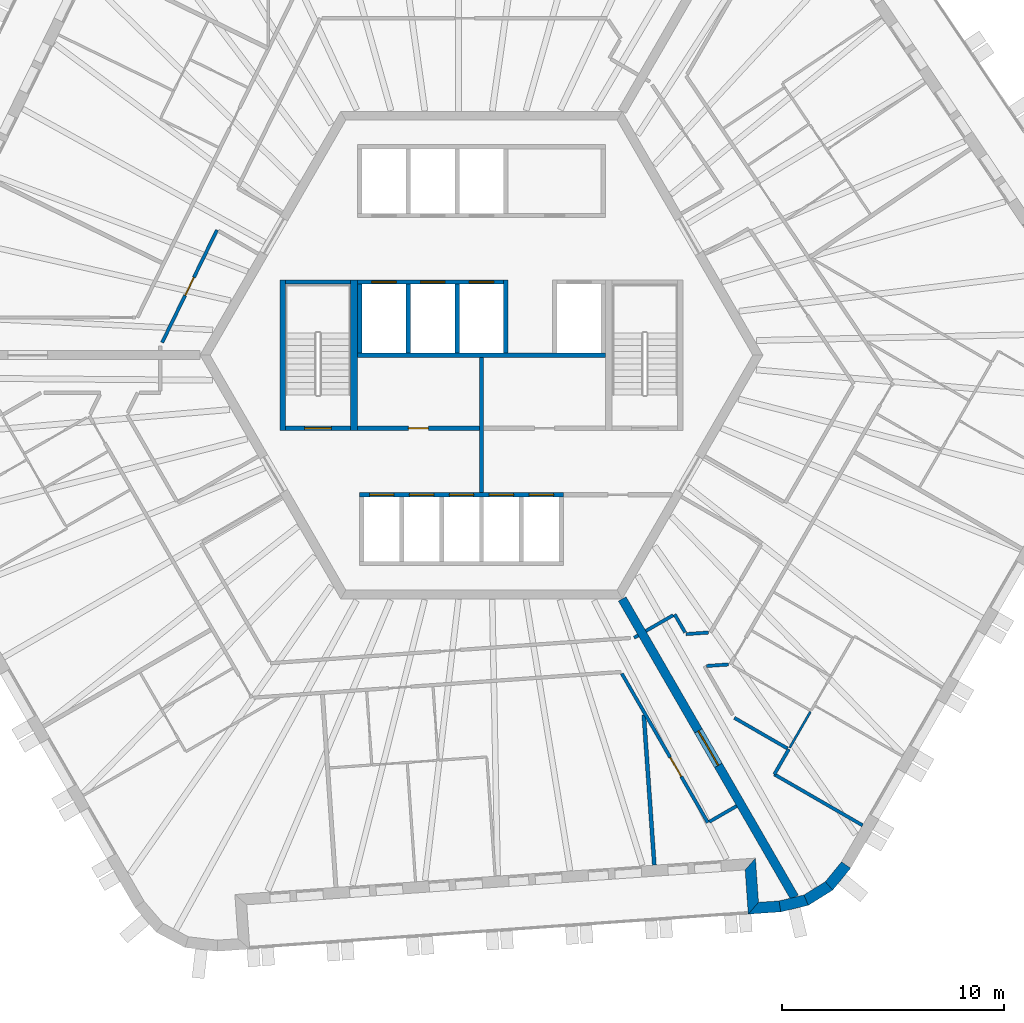
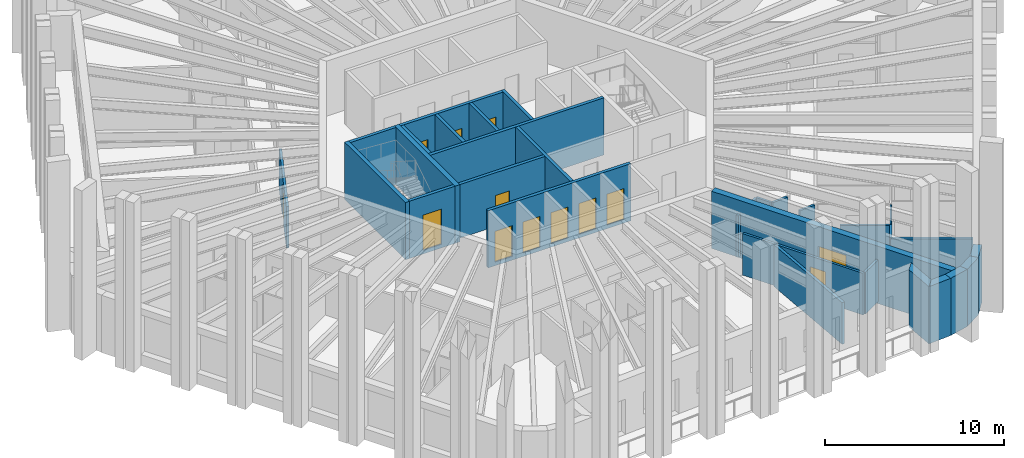
# One storey, part 5 of 13: 32 walls, 13 doors, 13 openings.
"""IFC4 building model written with IfcOpenShell, lengths in metres."""

from ifc_helpers import new_model, si_unit, direction, frame, frame_2d, origin, place, context, subcontext, project, spatial, polyline, rectangle, outline, extrude, material, layer, layer_set, type_object, element, fill, save


model = new_model("IFC4")

# Units and contexts
model_context = context("Model", 3, precision=1e-05, world=origin(), true_north=direction((0.0, 1.0)))
body_context = subcontext(model_context, "Body", "Model", "MODEL_VIEW")
ifc_project = project(units=[si_unit("LENGTHUNIT", "METRE"), si_unit("AREAUNIT", "SQUARE_METRE"), si_unit("VOLUMEUNIT", "CUBIC_METRE"), si_unit("PLANEANGLEUNIT", "RADIAN"), si_unit("MASSUNIT", "GRAM", prefix="KILO")], contexts=[model_context])

# Site, building, storey
site_placement = place(None, origin())
site = spatial("IfcSite", under=ifc_project, at=site_placement, CompositionType="ELEMENT")
building_placement = place(site_placement, origin())
building = spatial("IfcBuilding", under=site, at=building_placement, Name="Tarnside Tower", CompositionType="ELEMENT")
storey_placement = place(building_placement, frame((0.0, 0.0, 326.39990234375)))
storey = spatial("IfcBuildingStorey", under=building, at=storey_placement, Name="L79", CompositionType="ELEMENT", Elevation=326.39990234375)

# Wall
ifc_material_1 = material(Name="Gypsum board partition on steel studs", Category="steel")
ifc_layer_1 = layer(ifc_material_1, 0.10009765625)
ifc_layer_set_1 = layer_set([ifc_layer_1], Name="Bathroom wall 100")
wall_type_1 = type_object("IfcWallType", Name="Bathroom wall 100", PredefinedType="PARTITIONING", material=ifc_layer_set_1)
wall_1_placement = place(storey_placement, frame((14.84130859375, -16.093994140625, 0.0), z_axis=(0.0, 0.0, 1.0), x_axis=(-0.500004234368, -0.866022959057, 0.0)))
element("IfcWall", 1, at=wall_1_placement, inside=storey, type_object=wall_type_1, Name="Bathroom wall 26147", PredefinedType="PARTITIONING", context=body_context, shape_type="SweptSolid", body=[
    extrude(rectangle(XDim=1.875, YDim=0.10009765625, at=frame_2d((0.9375, 0.0))), origin(), (0.0, 0.0, 1.0), 2.837890625),
])

# Wall, opening, door
ifc_material_2 = material(Name="Concrete C40/50", Category="concrete")
ifc_layer_2 = layer(ifc_material_2, 0.199951171875)
ifc_layer_set_2 = layer_set([ifc_layer_2], Name="Core room partition 200 C40/50")
wall_type_2 = type_object("IfcWallType", Name="Core room partition 200 C40/50", PredefinedType="PARTITIONING", material=ifc_layer_set_2)
wall_2_placement = place(storey_placement, frame((-5.60009765625, -3.300048828125, 0.0), z_axis=(0.0, 0.0, 1.0), x_axis=(1.0, 0.0, 0.0)))
wall_2 = element("IfcWall", 2, at=wall_2_placement, inside=storey, type_object=wall_type_2, Name="L79 core partition W3", PredefinedType="PARTITIONING", context=body_context, shape_type="SweptSolid", body=[
    extrude(rectangle(XDim=5.5, YDim=0.199951171875, at=frame_2d((2.75, 0.0))), origin(), (0.0, 0.0, 1.0), 3.650146484375),
])
opening_1_placement = place(wall_2_placement, frame((2.300048828125, 0.0, 0.0)))
opening_1 = element("IfcOpeningElement", 3, at=opening_1_placement, cuts=wall_2, Name="Opening CD-room", PredefinedType="OPENING", context=body_context, shape_type="SweptSolid", body=[
    extrude(rectangle(XDim=0.89990234375, YDim=2.10009765625, at=frame_2d((0.449951171875, 1.050048828125))), frame((0.0, 0.10986328125, 0.0), z_axis=(0.0, -1.0, 0.0), x_axis=(1.0, 0.0, 0.0)), (0.0, 0.0, 1.0), 0.219970703125),
])
ifc_material_3 = material(Name="Steel fire door", Category="steel")
door_type_1 = type_object("IfcDoorType", Name="Room door FD60 900x2100", OperationType="NOTDEFINED", PredefinedType="DOOR", material=ifc_material_3)
door_1_placement = place(opening_1_placement, origin())
door_1 = element("IfcDoor", 4, at=door_1_placement, inside=storey, type_object=door_type_1, Name="L79 core room door W3D", OperationType="SINGLE_SWING_LEFT", OverallHeight=2.10009765625, OverallWidth=0.89990234375, PredefinedType="DOOR", context=body_context, shape_type="SweptSolid", body=[
    extrude(rectangle(XDim=0.89990234375, YDim=2.10009765625, at=frame_2d((0.449951171875, 1.050048828125))), frame((0.0, 0.02490234375, 0.0), z_axis=(0.0, -1.0, 0.0), x_axis=(1.0, 0.0, 0.0)), (0.0, 0.0, 1.0), 0.050048828125),
])
fill(opening_1, door_1)

# Wall
wall_3_placement = place(storey_placement, frame((0.0, -6.199951171875, 0.0), z_axis=(0.0, 0.0, 1.0), x_axis=(0.0, 1.0, 0.0)))
element("IfcWall", 5, at=wall_3_placement, inside=storey, type_object=wall_type_2, Name="L79 core partition X0", PredefinedType="PARTITIONING", context=body_context, shape_type="SweptSolid", body=[
    extrude(rectangle(XDim=6.099853515625, YDim=0.199951171875, at=frame_2d((3.0498046875, 0.0))), origin(), (0.0, 0.0, 1.0), 3.650146484375),
])

# Wall, opening, door
ifc_material_4 = material(Name="Concrete C60/75", Category="concrete")
ifc_layer_3 = layer(ifc_material_4, 0.39990234375)
ifc_layer_set_3 = layer_set([ifc_layer_3], Name="Core wall Z3 400 C60/75")
wall_type_3 = type_object("IfcWallType", Name="Core wall Z3 400 C60/75", PredefinedType="SHEAR", material=ifc_layer_set_3)
wall_4_placement = place(storey_placement, frame((6.350830078125, -11.0, -0.14990234375), z_axis=(0.0, 0.0, 1.0), x_axis=(0.499998894578, -0.866026041999, 0.0)))
wall_4 = element("IfcWall", 6, at=wall_4_placement, inside=storey, type_object=wall_type_3, Name="L79 spine wall 3", PredefinedType="SHEAR", context=body_context, shape_type="SweptSolid", body=[
    extrude(rectangle(XDim=15.54443359375, YDim=0.39990234375, at=frame_2d((7.772216796875, 0.0))), origin(), (0.0, 0.0, 1.0), 3.89990234375),
])
opening_2_placement = place(wall_4_placement, frame((6.872314453125, 0.0, 0.14990234375)))
opening_2 = element("IfcOpeningElement", 7, at=opening_2_placement, cuts=wall_4, Name="Opening CD-SPN", PredefinedType="OPENING", context=body_context, shape_type="SweptSolid", body=[
    extrude(rectangle(XDim=1.800048828125, YDim=2.39990234375, at=frame_2d((0.89990234375, 1.199951171875))), frame((0.0, 0.2099609375, 0.0), z_axis=(0.0, -1.0, 0.0), x_axis=(1.0, 0.0, 0.0)), (0.0, 0.0, 1.0), 0.419921875),
])
door_type_2 = type_object("IfcDoorType", Name="Spine passage double door FD60 1800x2400", OperationType="NOTDEFINED", PredefinedType="DOOR", material=ifc_material_3)
door_2_placement = place(opening_2_placement, origin())
door_2 = element("IfcDoor", 8, at=door_2_placement, inside=storey, type_object=door_type_2, Name="L79 spine passage door 3", OperationType="DOUBLE_DOOR_SINGLE_SWING", OverallHeight=2.39990234375, OverallWidth=1.800048828125, PredefinedType="DOOR", context=body_context, shape_type="SweptSolid", body=[
    extrude(rectangle(XDim=1.800048828125, YDim=2.39990234375, at=frame_2d((0.89990234375, 1.199951171875))), frame((0.0, 0.02490234375, 0.0), z_axis=(0.0, -1.0, 0.0), x_axis=(1.0, 0.0, 0.0)), (0.0, 0.0, 1.0), 0.050048828125),
])
fill(opening_2, door_2)

ifc_layer_4 = layer(ifc_material_1, 0.14990234375)
ifc_layer_set_4 = layer_set([ifc_layer_4], Name="Corridor wall 150 EI 60")
wall_type_4 = type_object("IfcWallType", Name="Corridor wall 150 EI 60", PredefinedType="PARTITIONING", material=ifc_layer_set_4)
wall_5_placement = place(storey_placement, frame((-14.411376953125, 0.563720703125, 0.0), z_axis=(0.0, 0.0, 1.0), x_axis=(0.438363210996, 0.898797916801, 0.0)))
wall_5 = element("IfcWall", 9, at=wall_5_placement, inside=storey, type_object=wall_type_4, Name="Corridor wall 26024", PredefinedType="PARTITIONING", context=body_context, shape_type="SweptSolid", body=[
    extrude(rectangle(XDim=5.65234375, YDim=0.14990234375, at=frame_2d((2.826171875, 0.0))), origin(), (0.0, 0.0, 1.0), 2.837890625),
])
opening_3_placement = place(wall_5_placement, frame((2.376220703125, 0.0, 0.0)))
opening_3 = element("IfcOpeningElement", 10, at=opening_3_placement, cuts=wall_5, Name="Opening D-S1", PredefinedType="OPENING", context=body_context, shape_type="SweptSolid", body=[
    extrude(rectangle(XDim=0.89990234375, YDim=2.10009765625, at=frame_2d((0.449951171875, 1.050048828125))), frame((0.0, 0.0849609375, 0.0), z_axis=(0.0, -1.0, 0.0), x_axis=(1.0, 0.0, 0.0)), (0.0, 0.0, 1.0), 0.169921875),
])
ifc_material_5 = material(Name="Timber door leaf", Category="wood")
door_type_3 = type_object("IfcDoorType", Name="Service room door 900 FD30S", OperationType="NOTDEFINED", PredefinedType="DOOR", material=ifc_material_5)
door_3_placement = place(opening_3_placement, origin())
door_3 = element("IfcDoor", 11, at=door_3_placement, inside=storey, type_object=door_type_3, Name="Service door 26073", OperationType="SINGLE_SWING_LEFT", OverallHeight=2.10009765625, OverallWidth=0.89990234375, PredefinedType="DOOR", context=body_context, shape_type="SweptSolid", body=[
    extrude(rectangle(XDim=0.89990234375, YDim=2.10009765625, at=frame_2d((0.449951171875, 1.050048828125))), frame((0.0, 0.02490234375, 0.0), z_axis=(0.0, -1.0, 0.0), x_axis=(1.0, 0.0, 0.0)), (0.0, 0.0, 1.0), 0.050048828125),
])
fill(opening_3, door_3)

wall_6_placement = place(storey_placement, frame((6.33251953125, -14.3681640625, 0.0), z_axis=(0.0, 0.0, 1.0), x_axis=(0.499977396983, -0.866038453249, 0.0)))
wall_6 = element("IfcWall", 12, at=wall_6_placement, inside=storey, type_object=wall_type_4, Name="Corridor wall 26040", PredefinedType="PARTITIONING", context=body_context, shape_type="SweptSolid", body=[
    extrude(rectangle(XDim=7.764404296875, YDim=0.14990234375, at=frame_2d((3.88232421875, 0.0))), origin(), (0.0, 0.0, 1.0), 2.837890625),
])
opening_4_placement = place(wall_6_placement, frame((4.363525390625, 0.0, 0.0)))
opening_4 = element("IfcOpeningElement", 13, at=opening_4_placement, cuts=wall_6, Name="Opening D-E1", PredefinedType="OPENING", context=body_context, shape_type="SweptSolid", body=[
    extrude(rectangle(XDim=1.0, YDim=2.10009765625, at=frame_2d((0.5, 1.050048828125))), frame((0.0, 0.0849609375, 0.0), z_axis=(0.0, -1.0, 0.0), x_axis=(1.0, 0.0, 0.0)), (0.0, 0.0, 1.0), 0.169921875),
])
door_type_4 = type_object("IfcDoorType", Name="Unit entrance door 1000 FD30S", OperationType="NOTDEFINED", PredefinedType="DOOR", material=ifc_material_5)
door_4_placement = place(opening_4_placement, origin())
door_4 = element("IfcDoor", 14, at=door_4_placement, inside=storey, type_object=door_type_4, Name="Unit door 26039", OperationType="SINGLE_SWING_RIGHT", OverallHeight=2.10009765625, OverallWidth=1.0, PredefinedType="DOOR", context=body_context, shape_type="SweptSolid", body=[
    extrude(rectangle(XDim=1.0, YDim=2.10009765625, at=frame_2d((0.5, 1.050048828125))), frame((0.0, 0.02490234375, 0.0), z_axis=(0.0, -1.0, 0.0), x_axis=(1.0, 0.0, 0.0)), (0.0, 0.0, 1.0), 0.050048828125),
])
fill(opening_4, door_4)

# Walls
wall_7_placement = place(storey_placement, frame((10.27978515625, -21.054931640625, 0.0), z_axis=(0.0, 0.0, 1.0), x_axis=(0.866020080793, 0.500009219579, 0.0)))
element("IfcWall", 15, at=wall_7_placement, inside=storey, type_object=wall_type_4, Name="Corridor wall 26044", PredefinedType="PARTITIONING", context=body_context, shape_type="SweptSolid", body=[
    extrude(rectangle(XDim=1.4248046875, YDim=0.14990234375, at=frame_2d((0.71240234375, 0.0))), origin(), (0.0, 0.0, 1.0), 2.837890625),
])
wall_8_placement = place(storey_placement, frame((7.070068359375, -12.6455078125, 0.0), z_axis=(0.0, 0.0, 1.0), x_axis=(-0.866378867349, -0.499387282788, 0.0)))
element("IfcWall", 16, at=wall_8_placement, inside=storey, type_object=wall_type_4, Name="Corridor wall 26050", PredefinedType="PARTITIONING", context=body_context, shape_type="SweptSolid", body=[
    extrude(rectangle(XDim=0.210205078125, YDim=0.14990234375, at=frame_2d((0.10498046875, 0.0))), origin(), (0.0, 0.0, 1.0), 2.837890625),
])
wall_9_placement = place(storey_placement, frame((13.212890625, -18.91455078125, 0.0), z_axis=(0.0, 0.0, 1.0), x_axis=(0.499985832843, 0.866033583042, 0.0)))
element("IfcWall", 17, at=wall_9_placement, inside=storey, type_object=wall_type_4, Name="Corridor wall 26057", PredefinedType="PARTITIONING", context=body_context, shape_type="SweptSolid", body=[
    extrude(rectangle(XDim=1.310546875, YDim=0.14990234375, at=frame_2d((0.6552734375, 0.0))), origin(), (0.0, 0.0, 1.0), 2.837890625),
])
wall_10_placement = place(storey_placement, frame((17.196044921875, -21.215576171875, 0.0), z_axis=(0.0, 0.0, 1.0), x_axis=(-0.866032643562, 0.499987460128, 0.0)))
element("IfcWall", 18, at=wall_10_placement, inside=storey, type_object=wall_type_4, Name="Corridor wall 26058", PredefinedType="PARTITIONING", context=body_context, shape_type="SweptSolid", body=[
    extrude(rectangle(XDim=4.5986328125, YDim=0.14990234375, at=frame_2d((2.29931640625, 0.0))), origin(), (0.0, 0.0, 1.0), 2.837890625),
])
wall_11_placement = place(storey_placement, frame((13.801513671875, -17.7451171875, 0.0), z_axis=(0.0, 0.0, 1.0), x_axis=(-0.866051521422, 0.499954760196, 0.0)))
element("IfcWall", 19, at=wall_11_placement, inside=storey, type_object=wall_type_4, Name="Corridor wall 26059", PredefinedType="PARTITIONING", context=body_context, shape_type="SweptSolid", body=[
    extrude(rectangle(XDim=2.759521484375, YDim=0.14990234375, at=frame_2d((1.3798828125, 0.0))), origin(), (0.0, 0.0, 1.0), 2.837890625),
])
wall_12_placement = place(storey_placement, frame((10.147705078125, -14.0263671875, 0.0), z_axis=(0.0, 0.0, 1.0), x_axis=(0.99756238904, 0.069780226228, 0.0)))
element("IfcWall", 20, at=wall_12_placement, inside=storey, type_object=wall_type_4, Name="Corridor wall 26061", PredefinedType="PARTITIONING", context=body_context, shape_type="SweptSolid", body=[
    extrude(rectangle(XDim=0.99365234375, YDim=0.14990234375, at=frame_2d((0.496826171875, 0.0))), origin(), (0.0, 0.0, 1.0), 2.837890625),
])
wall_13_placement = place(storey_placement, frame((10.238525390625, -12.516357421875, 0.0), z_axis=(0.0, 0.0, 1.0), x_axis=(-0.997561825928, -0.069788275888, 0.0)))
element("IfcWall", 21, at=wall_13_placement, inside=storey, type_object=wall_type_4, Name="Corridor wall 26074", PredefinedType="PARTITIONING", context=body_context, shape_type="SweptSolid", body=[
    extrude(rectangle(XDim=1.010986328125, YDim=0.14990234375, at=frame_2d((0.50537109375, 0.0))), origin(), (0.0, 0.0, 1.0), 2.837890625),
])
wall_14_placement = place(storey_placement, frame((9.188232421875, -12.5146484375, 0.0), z_axis=(0.0, 0.0, 1.0), x_axis=(-0.499998034377, 0.866026538634, 0.0)))
element("IfcWall", 22, at=wall_14_placement, inside=storey, type_object=wall_type_4, Name="Corridor wall 26075", PredefinedType="PARTITIONING", context=body_context, shape_type="SweptSolid", body=[
    extrude(rectangle(XDim=0.94580078125, YDim=0.14990234375, at=frame_2d((0.472900390625, 0.0))), origin(), (0.0, 0.0, 1.0), 2.837890625),
])
wall_15_placement = place(storey_placement, frame((8.650390625, -11.733154296875, 0.0), z_axis=(0.0, 0.0, 1.0), x_axis=(-0.866062911188, -0.499935029643, 0.0)))
element("IfcWall", 23, at=wall_15_placement, inside=storey, type_object=wall_type_4, Name="Corridor wall 26076", PredefinedType="PARTITIONING", context=body_context, shape_type="SweptSolid", body=[
    extrude(rectangle(XDim=1.425048828125, YDim=0.14990234375, at=frame_2d((0.71240234375, 0.0))), origin(), (0.0, 0.0, 1.0), 2.837890625),
])
ifc_layer_5 = layer(ifc_material_1, 0.179931640625)
ifc_layer_set_5 = layer_set([ifc_layer_5], Name="Demising wall 180 EI 60")
wall_type_5 = type_object("IfcWallType", Name="Demising wall 180 EI 60", PredefinedType="PARTITIONING", material=ifc_layer_set_5)
wall_16_placement = place(storey_placement, frame((7.799560546875, -23.011962890625, 0.0), z_axis=(0.0, 0.0, 1.0), x_axis=(-0.069757205717, 0.997563999075, 0.0)))
element("IfcWall", 24, at=wall_16_placement, inside=storey, type_object=wall_type_5, Name="Demising wall 26131", PredefinedType="PARTITIONING", context=body_context, shape_type="SweptSolid", body=[
    extrude(rectangle(XDim=6.789794921875, YDim=0.179931640625, at=frame_2d((3.39501953125, 0.0))), origin(), (0.0, 0.0, 1.0), 2.837890625),
])

# Wall, openings, doors
ifc_layer_6 = layer(ifc_material_2, 0.199951171875)
ifc_layer_set_6 = layer_set([ifc_layer_6], Name="Lift shaft wall 200 C40/50")
wall_type_6 = type_object("IfcWallType", Name="Lift shaft wall 200 C40/50", PredefinedType="SHEAR", material=ifc_layer_set_6)
wall_17_placement = place(storey_placement, frame((-5.60009765625, 3.300048828125, -0.25), z_axis=(0.0, 0.0, 1.0), x_axis=(1.0, 0.0, 0.0)))
wall_17 = element("IfcWall", 25, at=wall_17_placement, inside=storey, type_object=wall_type_6, Name="L79 lift shaft front wall R2", PredefinedType="SHEAR", context=body_context, shape_type="SweptSolid", body=[
    extrude(rectangle(XDim=6.60009765625, YDim=0.199951171875, at=frame_2d((3.300048828125, 0.0))), origin(), (0.0, 0.0, 1.0), 3.900146484375),
])
opening_5_placement = place(wall_17_placement, frame((0.64990234375, 0.0, 0.25)))
opening_5 = element("IfcOpeningElement", 26, at=opening_5_placement, cuts=wall_17, Name="Opening LD", PredefinedType="OPENING", context=body_context, shape_type="SweptSolid", body=[
    extrude(rectangle(XDim=1.10009765625, YDim=2.10009765625, at=frame_2d((0.550048828125, 1.050048828125))), frame((0.0, 0.10986328125, 0.0), z_axis=(0.0, -1.0, 0.0), x_axis=(1.0, 0.0, 0.0)), (0.0, 0.0, 1.0), 0.219970703125),
])
opening_6_placement = place(wall_17_placement, frame((2.85009765625, 0.0, 0.25)))
opening_6 = element("IfcOpeningElement", 27, at=opening_6_placement, cuts=wall_17, Name="Opening LD", PredefinedType="OPENING", context=body_context, shape_type="SweptSolid", body=[
    extrude(rectangle(XDim=1.10009765625, YDim=2.10009765625, at=frame_2d((0.550048828125, 1.050048828125))), frame((0.0, 0.10986328125, 0.0), z_axis=(0.0, -1.0, 0.0), x_axis=(1.0, 0.0, 0.0)), (0.0, 0.0, 1.0), 0.219970703125),
])
opening_7_placement = place(wall_17_placement, frame((5.050048828125, 0.0, 0.25)))
opening_7 = element("IfcOpeningElement", 28, at=opening_7_placement, cuts=wall_17, Name="Opening LD", PredefinedType="OPENING", context=body_context, shape_type="SweptSolid", body=[
    extrude(rectangle(XDim=1.10009765625, YDim=2.10009765625, at=frame_2d((0.550048828125, 1.050048828125))), frame((0.0, 0.10986328125, 0.0), z_axis=(0.0, -1.0, 0.0), x_axis=(1.0, 0.0, 0.0)), (0.0, 0.0, 1.0), 0.219970703125),
])
ifc_material_6 = material(Name="Stainless steel", Category="steel")
door_type_5 = type_object("IfcDoorType", Name="Lift landing door 1100x2100", OperationType="NOTDEFINED", PredefinedType="DOOR", material=ifc_material_6)
door_5_placement = place(opening_5_placement, origin())
door_5 = element("IfcDoor", 29, at=door_5_placement, inside=storey, type_object=door_type_5, Name="High-rise lift 4 landing door L79", OperationType="SLIDING_TO_LEFT", OverallHeight=2.10009765625, OverallWidth=1.10009765625, PredefinedType="DOOR", context=body_context, shape_type="SweptSolid", body=[
    extrude(rectangle(XDim=1.10009765625, YDim=2.10009765625, at=frame_2d((0.550048828125, 1.050048828125))), frame((0.0, 0.02490234375, 0.0), z_axis=(0.0, -1.0, 0.0), x_axis=(1.0, 0.0, 0.0)), (0.0, 0.0, 1.0), 0.050048828125),
])
fill(opening_5, door_5)
door_6_placement = place(opening_6_placement, origin())
door_6 = element("IfcDoor", 30, at=door_6_placement, inside=storey, type_object=door_type_5, Name="High-rise lift 5 landing door L79", OperationType="SLIDING_TO_LEFT", OverallHeight=2.10009765625, OverallWidth=1.10009765625, PredefinedType="DOOR", context=body_context, shape_type="SweptSolid", body=[
    extrude(rectangle(XDim=1.10009765625, YDim=2.10009765625, at=frame_2d((0.550048828125, 1.050048828125))), frame((0.0, 0.02490234375, 0.0), z_axis=(0.0, -1.0, 0.0), x_axis=(1.0, 0.0, 0.0)), (0.0, 0.0, 1.0), 0.050048828125),
])
fill(opening_6, door_6)
door_7_placement = place(opening_7_placement, origin())
door_7 = element("IfcDoor", 31, at=door_7_placement, inside=storey, type_object=door_type_5, Name="High-rise lift 6 landing door L79", OperationType="SLIDING_TO_LEFT", OverallHeight=2.10009765625, OverallWidth=1.10009765625, PredefinedType="DOOR", context=body_context, shape_type="SweptSolid", body=[
    extrude(rectangle(XDim=1.10009765625, YDim=2.10009765625, at=frame_2d((0.550048828125, 1.050048828125))), frame((0.0, 0.02490234375, 0.0), z_axis=(0.0, -1.0, 0.0), x_axis=(1.0, 0.0, 0.0)), (0.0, 0.0, 1.0), 0.050048828125),
])
fill(opening_7, door_7)

# Walls
wall_18_placement = place(storey_placement, frame((-5.60009765625, 0.0, -0.25), z_axis=(0.0, 0.0, 1.0), x_axis=(1.0, 0.0, 0.0)))
element("IfcWall", 32, at=wall_18_placement, inside=storey, type_object=wall_type_6, Name="L79 lift shaft back wall R2", PredefinedType="SHEAR", context=body_context, shape_type="SweptSolid", body=[
    extrude(rectangle(XDim=11.2001953125, YDim=0.199951171875, at=frame_2d((5.60009765625, 0.0))), origin(), (0.0, 0.0, 1.0), 3.900146484375),
])
for number, where, z_axis, x_axis, name in (
    (33, (-5.5, 0.10009765625, -0.25), (0.0, 0.0, 1.0), (0.0, 1.0, 0.0), "L79 lift shaft partition R21"),
    (34, (-3.300048828125, 0.10009765625, -0.25), (0.0, 0.0, 1.0), (0.0, 1.0, 0.0), "L79 lift shaft partition R22"),
    (35, (-1.10009765625, 0.10009765625, -0.25), (0.0, 0.0, 1.0), (0.0, 1.0, 0.0), "L79 lift shaft partition R23"),
):
    element("IfcWall", number, at=place(storey_placement, frame(where, z_axis=z_axis, x_axis=x_axis)), inside=storey, type_object=wall_type_6, Name=name, PredefinedType="SHEAR", context=body_context, shape_type="SweptSolid", body=[
        extrude(rectangle(XDim=3.099853515625, YDim=0.199951171875, at=frame_2d((1.5498046875, 0.0))), origin(), (0.0, 0.0, 1.0), 3.900146484375),
    ])
wall_19_placement = place(storey_placement, frame((1.10009765625, 0.10009765625, -0.25), z_axis=(0.0, 0.0, 1.0), x_axis=(0.0, 1.0, 0.0)))
element("IfcWall", 36, at=wall_19_placement, inside=storey, type_object=wall_type_6, Name="L79 lift shaft partition R24", PredefinedType="SHEAR", context=body_context, shape_type="SweptSolid", body=[
    extrude(rectangle(XDim=3.2998046875, YDim=0.199951171875, at=frame_2d((1.64990234375, 0.0))), origin(), (0.0, 0.0, 1.0), 3.900146484375),
])

# Wall, openings, doors
wall_20_placement = place(storey_placement, frame((-5.5, -6.300048828125, -0.25), z_axis=(0.0, 0.0, 1.0), x_axis=(1.0, 0.0, 0.0)))
wall_20 = element("IfcWall", 37, at=wall_20_placement, inside=storey, type_object=wall_type_6, Name="L79 lift shaft front wall R4", PredefinedType="SHEAR", context=body_context, shape_type="SweptSolid", body=[
    extrude(rectangle(XDim=9.199951171875, YDim=0.199951171875, at=frame_2d((4.60009765625, 0.0))), origin(), (0.0, 0.0, 1.0), 3.900146484375),
])
opening_8_placement = place(wall_20_placement, frame((0.449951171875, 0.0, 0.25)))
opening_8 = element("IfcOpeningElement", 38, at=opening_8_placement, cuts=wall_20, Name="Opening LDF", PredefinedType="OPENING", context=body_context, shape_type="SweptSolid", body=[
    extrude(rectangle(XDim=1.10009765625, YDim=2.10009765625, at=frame_2d((0.550048828125, 1.050048828125))), frame((0.0, 0.10986328125, 0.0), z_axis=(0.0, -1.0, 0.0), x_axis=(1.0, 0.0, 0.0)), (0.0, 0.0, 1.0), 0.219970703125),
])
opening_9_placement = place(wall_20_placement, frame((2.25, 0.0, 0.25)))
opening_9 = element("IfcOpeningElement", 39, at=opening_9_placement, cuts=wall_20, Name="Opening LDF", PredefinedType="OPENING", context=body_context, shape_type="SweptSolid", body=[
    extrude(rectangle(XDim=1.10009765625, YDim=2.10009765625, at=frame_2d((0.550048828125, 1.050048828125))), frame((0.0, 0.10986328125, 0.0), z_axis=(0.0, -1.0, 0.0), x_axis=(1.0, 0.0, 0.0)), (0.0, 0.0, 1.0), 0.219970703125),
])
opening_10_placement = place(wall_20_placement, frame((4.050048828125, 0.0, 0.25)))
opening_10 = element("IfcOpeningElement", 40, at=opening_10_placement, cuts=wall_20, Name="Opening LDF", PredefinedType="OPENING", context=body_context, shape_type="SweptSolid", body=[
    extrude(rectangle(XDim=1.10009765625, YDim=2.10009765625, at=frame_2d((0.550048828125, 1.050048828125))), frame((0.0, 0.10986328125, 0.0), z_axis=(0.0, -1.0, 0.0), x_axis=(1.0, 0.0, 0.0)), (0.0, 0.0, 1.0), 0.219970703125),
])
opening_11_placement = place(wall_20_placement, frame((5.85009765625, 0.0, 0.25)))
opening_11 = element("IfcOpeningElement", 41, at=opening_11_placement, cuts=wall_20, Name="Opening LDF", PredefinedType="OPENING", context=body_context, shape_type="SweptSolid", body=[
    extrude(rectangle(XDim=1.10009765625, YDim=2.10009765625, at=frame_2d((0.550048828125, 1.050048828125))), frame((0.0, 0.10986328125, 0.0), z_axis=(0.0, -1.0, 0.0), x_axis=(1.0, 0.0, 0.0)), (0.0, 0.0, 1.0), 0.219970703125),
])
opening_12_placement = place(wall_20_placement, frame((7.64990234375, 0.0, 0.25)))
opening_12 = element("IfcOpeningElement", 42, at=opening_12_placement, cuts=wall_20, Name="Opening LDF", PredefinedType="OPENING", context=body_context, shape_type="SweptSolid", body=[
    extrude(rectangle(XDim=1.10009765625, YDim=2.10009765625, at=frame_2d((0.550048828125, 1.050048828125))), frame((0.0, 0.10986328125, 0.0), z_axis=(0.0, -1.0, 0.0), x_axis=(1.0, 0.0, 0.0)), (0.0, 0.0, 1.0), 0.219970703125),
])
door_type_6 = type_object("IfcDoorType", Name="Lift landing door 1100x2100 EI 120", OperationType="NOTDEFINED", PredefinedType="DOOR", material=ifc_material_6)
door_8_placement = place(opening_8_placement, origin())
door_8 = element("IfcDoor", 43, at=door_8_placement, inside=storey, type_object=door_type_6, Name="Firefighting lift 1 landing door L79", OperationType="SLIDING_TO_LEFT", OverallHeight=2.10009765625, OverallWidth=1.10009765625, PredefinedType="DOOR", context=body_context, shape_type="SweptSolid", body=[
    extrude(rectangle(XDim=1.10009765625, YDim=2.10009765625, at=frame_2d((0.550048828125, 1.050048828125))), frame((0.0, 0.02490234375, 0.0), z_axis=(0.0, -1.0, 0.0), x_axis=(1.0, 0.0, 0.0)), (0.0, 0.0, 1.0), 0.050048828125),
])
fill(opening_8, door_8)
door_9_placement = place(opening_9_placement, origin())
door_9 = element("IfcDoor", 44, at=door_9_placement, inside=storey, type_object=door_type_6, Name="Firefighting lift 2 landing door L79", OperationType="SLIDING_TO_LEFT", OverallHeight=2.10009765625, OverallWidth=1.10009765625, PredefinedType="DOOR", context=body_context, shape_type="SweptSolid", body=[
    extrude(rectangle(XDim=1.10009765625, YDim=2.10009765625, at=frame_2d((0.550048828125, 1.050048828125))), frame((0.0, 0.02490234375, 0.0), z_axis=(0.0, -1.0, 0.0), x_axis=(1.0, 0.0, 0.0)), (0.0, 0.0, 1.0), 0.050048828125),
])
fill(opening_9, door_9)
door_10_placement = place(opening_10_placement, origin())
door_10 = element("IfcDoor", 45, at=door_10_placement, inside=storey, type_object=door_type_6, Name="Firefighting lift 3 landing door L79", OperationType="SLIDING_TO_LEFT", OverallHeight=2.10009765625, OverallWidth=1.10009765625, PredefinedType="DOOR", context=body_context, shape_type="SweptSolid", body=[
    extrude(rectangle(XDim=1.10009765625, YDim=2.10009765625, at=frame_2d((0.550048828125, 1.050048828125))), frame((0.0, 0.02490234375, 0.0), z_axis=(0.0, -1.0, 0.0), x_axis=(1.0, 0.0, 0.0)), (0.0, 0.0, 1.0), 0.050048828125),
])
fill(opening_10, door_10)
door_11_placement = place(opening_11_placement, origin())
door_11 = element("IfcDoor", 46, at=door_11_placement, inside=storey, type_object=door_type_6, Name="Firefighting lift 4 landing door L79", OperationType="SLIDING_TO_LEFT", OverallHeight=2.10009765625, OverallWidth=1.10009765625, PredefinedType="DOOR", context=body_context, shape_type="SweptSolid", body=[
    extrude(rectangle(XDim=1.10009765625, YDim=2.10009765625, at=frame_2d((0.550048828125, 1.050048828125))), frame((0.0, 0.02490234375, 0.0), z_axis=(0.0, -1.0, 0.0), x_axis=(1.0, 0.0, 0.0)), (0.0, 0.0, 1.0), 0.050048828125),
])
fill(opening_11, door_11)
door_12_placement = place(opening_12_placement, origin())
door_12 = element("IfcDoor", 47, at=door_12_placement, inside=storey, type_object=door_type_6, Name="Firefighting lift 5 landing door L79", OperationType="SLIDING_TO_LEFT", OverallHeight=2.10009765625, OverallWidth=1.10009765625, PredefinedType="DOOR", context=body_context, shape_type="SweptSolid", body=[
    extrude(rectangle(XDim=1.10009765625, YDim=2.10009765625, at=frame_2d((0.550048828125, 1.050048828125))), frame((0.0, 0.02490234375, 0.0), z_axis=(0.0, -1.0, 0.0), x_axis=(1.0, 0.0, 0.0)), (0.0, 0.0, 1.0), 0.050048828125),
])
fill(opening_12, door_12)

# Wall
wall_21_placement = place(storey_placement, frame((-8.85009765625, 3.300048828125, -0.25), z_axis=(0.0, 0.0, 1.0), x_axis=(1.0, 0.0, 0.0)))
element("IfcWall", 48, at=wall_21_placement, inside=storey, type_object=wall_type_6, Name="L79 stair 2 enclosure cap wall n", PredefinedType="SHEAR", context=body_context, shape_type="SweptSolid", body=[
    extrude(rectangle(XDim=2.9501953125, YDim=0.199951171875, at=frame_2d((1.47509765625, 0.0))), origin(), (0.0, 0.0, 1.0), 3.900146484375),
])

# Wall, opening, door
wall_22_placement = place(storey_placement, frame((-8.85009765625, -3.300048828125, -0.25), z_axis=(0.0, 0.0, 1.0), x_axis=(1.0, 0.0, 0.0)))
wall_22 = element("IfcWall", 49, at=wall_22_placement, inside=storey, type_object=wall_type_6, Name="L79 stair 2 enclosure cap wall s", PredefinedType="SHEAR", context=body_context, shape_type="SweptSolid", body=[
    extrude(rectangle(XDim=2.9501953125, YDim=0.199951171875, at=frame_2d((1.47509765625, 0.0))), origin(), (0.0, 0.0, 1.0), 3.900146484375),
])
opening_13_placement = place(wall_22_placement, frame((0.875, 0.0, 0.25)))
opening_13 = element("IfcOpeningElement", 50, at=opening_13_placement, cuts=wall_22, Name="Opening CD-STR", PredefinedType="OPENING", context=body_context, shape_type="SweptSolid", body=[
    extrude(rectangle(XDim=1.199951171875, YDim=2.39990234375, at=frame_2d((0.60009765625, 1.199951171875))), frame((0.0, 0.10986328125, 0.0), z_axis=(0.0, -1.0, 0.0), x_axis=(1.0, 0.0, 0.0)), (0.0, 0.0, 1.0), 0.219970703125),
])
door_type_7 = type_object("IfcDoorType", Name="Stair door FD60S 1200x2400", OperationType="NOTDEFINED", PredefinedType="DOOR", material=ifc_material_3)
door_13_placement = place(opening_13_placement, origin())
door_13 = element("IfcDoor", 51, at=door_13_placement, inside=storey, type_object=door_type_7, Name="L79 stair 2 door", OperationType="SINGLE_SWING_LEFT", OverallHeight=2.39990234375, OverallWidth=1.199951171875, PredefinedType="DOOR", context=body_context, shape_type="SweptSolid", body=[
    extrude(rectangle(XDim=1.199951171875, YDim=2.39990234375, at=frame_2d((0.60009765625, 1.199951171875))), frame((0.0, 0.02490234375, 0.0), z_axis=(0.0, -1.0, 0.0), x_axis=(1.0, 0.0, 0.0)), (0.0, 0.0, 1.0), 0.050048828125),
])
fill(opening_13, door_13)

# Walls
ifc_material_7 = material(Name="Dark zinc cladding")
ifc_layer_7 = layer(ifc_material_7, 0.10205078125)
ifc_material_8 = material(Name="Concrete C60/75 precast", Category="concrete")
ifc_layer_8 = layer(ifc_material_8, 0.298095703125)
ifc_material_9 = material(Name="Mineral wool insulation")
ifc_layer_9 = layer(ifc_material_9, 0.10009765625)
ifc_layer_set_7 = layer_set([ifc_layer_7, ifc_layer_8, ifc_layer_9], Name="Loggia wall 500 zinc faced")
wall_type_7 = type_object("IfcWallType", Name="Loggia wall 500 zinc faced", PredefinedType="SOLIDWALL", material=ifc_layer_set_7)
wall_23_placement = place(storey_placement, frame((12.128662109375, -22.9599609375, -0.14990234375), z_axis=(0.0, 0.0, 1.0), x_axis=(0.069824268692, -0.99755930726, 0.0)))
element("IfcWall", 52, at=wall_23_placement, inside=storey, type_object=wall_type_7, Name="Tube wall L79 F4 return 19", PredefinedType="SOLIDWALL", context=body_context, shape_type="SweptSolid", body=[
    extrude(outline(polyline([(0.25, -0.25), (2.25, -0.25), (1.75, 0.25), (-0.25, 0.25), (0.25, -0.25)])), origin(), (0.0, 0.0, 1.0), 3.89990234375),
])
wall_24_placement = place(storey_placement, frame((12.268310546875, -24.955078125, -0.14990234375), z_axis=(0.0, 0.0, 1.0), x_axis=(0.997561942506, 0.06978660948, 0.0)))
element("IfcWall", 53, at=wall_24_placement, inside=storey, type_object=wall_type_7, Name="Tube wall L79 F4 stub 20", PredefinedType="SOLIDWALL", context=body_context, shape_type="SweptSolid", body=[
    extrude(outline(polyline([(-0.25, -0.25), (1.220458984375, -0.25), (1.179443359375, 0.25), (0.25, 0.25), (-0.25, -0.25)])), origin(), (0.0, 0.0, 1.0), 3.89990234375),
])
ifc_layer_10 = layer(ifc_material_2, 0.25)
ifc_layer_set_8 = layer_set([ifc_layer_10], Name="Stair enclosure wall 250 C40/50")
wall_type_8 = type_object("IfcWallType", Name="Stair enclosure wall 250 C40/50", PredefinedType="SHEAR", material=ifc_layer_set_8)
wall_25_placement = place(storey_placement, frame((-8.97509765625, -3.39990234375, -0.25), z_axis=(0.0, 0.0, 1.0), x_axis=(0.0, 1.0, 0.0)))
element("IfcWall", 54, at=wall_25_placement, inside=storey, type_object=wall_type_8, Name="L79 stair 2 enclosure wall outer", PredefinedType="SHEAR", context=body_context, shape_type="SweptSolid", body=[
    extrude(rectangle(XDim=6.7998046875, YDim=0.25, at=frame_2d((3.39990234375, 0.0))), origin(), (0.0, 0.0, 1.0), 3.900146484375),
])
ifc_layer_11 = layer(ifc_material_2, 0.300048828125)
ifc_layer_set_9 = layer_set([ifc_layer_11], Name="Stair enclosure wall 300 C40/50")
wall_type_9 = type_object("IfcWallType", Name="Stair enclosure wall 300 C40/50", PredefinedType="SHEAR", material=ifc_layer_set_9)
wall_26_placement = place(storey_placement, frame((-5.75, -3.39990234375, -0.25), z_axis=(0.0, 0.0, 1.0), x_axis=(0.0, 1.0, 0.0)))
element("IfcWall", 55, at=wall_26_placement, inside=storey, type_object=wall_type_9, Name="L79 stair 2 enclosure wall inner", PredefinedType="SHEAR", context=body_context, shape_type="SweptSolid", body=[
    extrude(rectangle(XDim=6.7998046875, YDim=0.300048828125, at=frame_2d((3.39990234375, 0.0))), origin(), (0.0, 0.0, 1.0), 3.900146484375),
])
ifc_material_10 = material(Name="Facing brick", Category="masonry")
ifc_layer_12 = layer(ifc_material_10, 0.10205078125)
ifc_layer_13 = layer(ifc_material_8, 0.298095703125)
ifc_layer_14 = layer(ifc_material_9, 0.10009765625)
ifc_layer_set_10 = layer_set([ifc_layer_12, ifc_layer_13, ifc_layer_14], Name="Tube wall 500 brick faced")
wall_type_10 = type_object("IfcWallType", Name="Tube wall 500 brick faced", PredefinedType="SOLIDWALL", material=ifc_layer_set_10)
wall_27_placement = place(storey_placement, frame((13.46533203125, -24.871337890625, -0.14990234375), z_axis=(0.0, 0.0, 1.0), x_axis=(0.973044740285, 0.230616420501, 0.0)))
element("IfcWall", 56, at=wall_27_placement, inside=storey, type_object=wall_type_10, Name="Tube wall L79 F4 chord 21", PredefinedType="SOLIDWALL", context=body_context, shape_type="SweptSolid", body=[
    extrude(outline(polyline([(-0.0205078125, -0.25), (1.25732421875, -0.25), (1.17529296875, 0.25), (0.0205078125, 0.25), (-0.0205078125, -0.25)])), origin(), (0.0, 0.0, 1.0), 3.89990234375),
])
wall_28_placement = place(storey_placement, frame((14.64892578125, -24.5908203125, -0.14990234375), z_axis=(0.0, 0.0, 1.0), x_axis=(0.848054682072, 0.529908724419, 0.0)))
element("IfcWall", 57, at=wall_28_placement, inside=storey, type_object=wall_type_10, Name="Tube wall L79 F4 chord 22", PredefinedType="SOLIDWALL", context=body_context, shape_type="SweptSolid", body=[
    extrude(outline(polyline([(-0.041015625, -0.25), (1.25732421875, -0.25), (1.17529296875, 0.25), (0.041015625, 0.25), (-0.041015625, -0.25)])), origin(), (0.0, 0.0, 1.0), 3.89990234375),
])
wall_29_placement = place(storey_placement, frame((15.680419921875, -23.9462890625, -0.14990234375), z_axis=(0.0, 0.0, 1.0), x_axis=(0.633805934167, 0.773492105852, 0.0)))
element("IfcWall", 58, at=wall_29_placement, inside=storey, type_object=wall_type_10, Name="Tube wall L79 F4 chord 23", PredefinedType="SOLIDWALL", context=body_context, shape_type="SweptSolid", body=[
    extrude(outline(polyline([(-0.041015625, -0.25), (1.237060546875, -0.25), (1.196044921875, 0.25), (0.041015625, 0.25), (-0.041015625, -0.25)])), origin(), (0.0, 0.0, 1.0), 3.89990234375),
])

save(model, "model.ifc")
